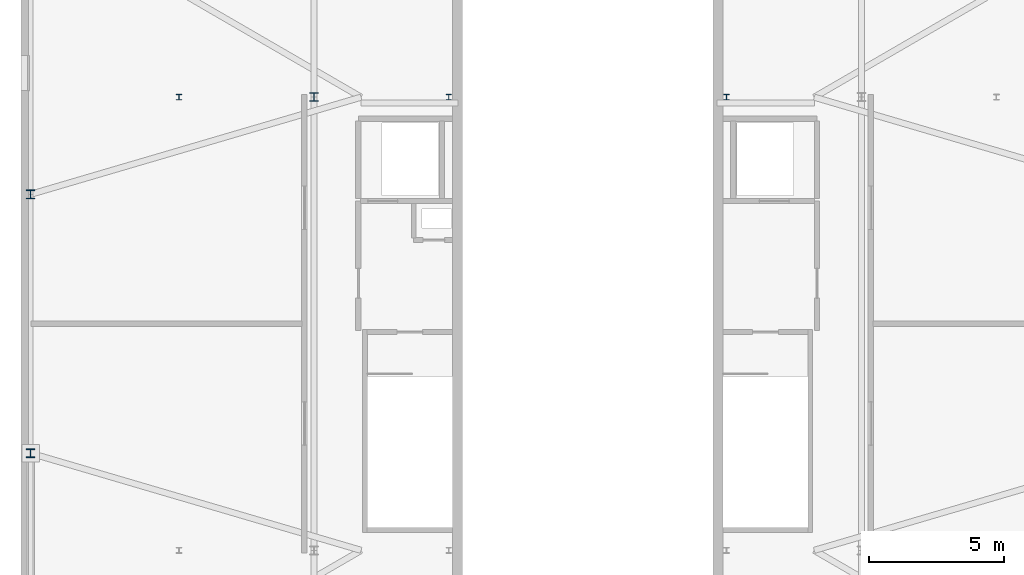
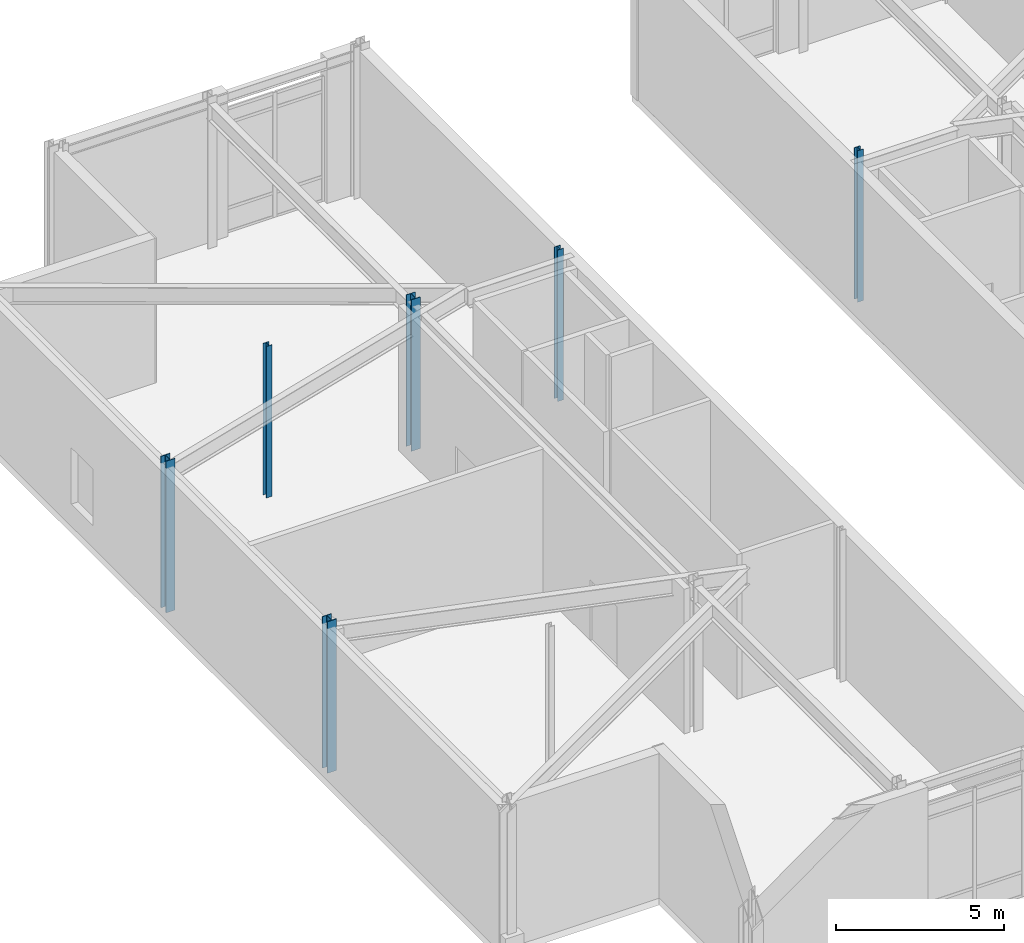
# One storey, part 3 of 14: 6 columns.
"""IFC4 building model written with IfcOpenShell, lengths in metres."""

from ifc_helpers import new_model, si_unit, direction, frame, origin, origin_2d, place, context, subcontext, project, spatial, i_section, extrude, material, material_profile, profile_set, type_object, element, save


model = new_model("IFC4")

# Units and contexts
model_context = context("Model", 3, precision=1e-05, world=origin(), true_north=direction((0.0, 1.0)))
body_context = subcontext(model_context, "Body", "Model", "MODEL_VIEW")
ifc_project = project(units=[si_unit("LENGTHUNIT", "METRE"), si_unit("AREAUNIT", "SQUARE_METRE"), si_unit("VOLUMEUNIT", "CUBIC_METRE"), si_unit("PLANEANGLEUNIT", "RADIAN"), si_unit("MASSUNIT", "GRAM", prefix="KILO")], contexts=[model_context])

# Site, building, storey
site_placement = place(None, origin())
site = spatial("IfcSite", under=ifc_project, at=site_placement, CompositionType="ELEMENT")
building_placement = place(site_placement, origin())
building = spatial("IfcBuilding", under=site, at=building_placement, Name="Cairnveth Concourse Tower", CompositionType="ELEMENT")
storey_placement = place(building_placement, frame((0.0, 0.0, 330.0)))
storey = spatial("IfcBuildingStorey", under=building, at=storey_placement, Name="L90", CompositionType="ELEMENT", Elevation=330.0)

# Columns
ifc_material = material(Name="Steel Grade 350", Category="steel")
ifc_material_profile_1 = material_profile(ifc_material, i_section(OverallWidth=0.202880859375, OverallDepth=0.202880859375, WebThickness=0.00927734375, FlangeThickness=0.01416015625, FilletRadius=0.010009765625, at=origin_2d()), Name="200UC59.5")
ifc_profile_set_1 = profile_set([ifc_material_profile_1], Name="Steel Grade 350")
column_type_1 = type_object("IfcColumnType", Name="PILASTER STEEL COLUMN 200UC59.5", PredefinedType="PILASTER", material=ifc_profile_set_1)
for number, where, z_axis, x_axis, name in (
    (1, (36.85009765625, 47.39990234375, 0.0), (0.0, 0.0, 1.0), (1.0, 0.0, 0.0), "Column CRL-W3 L90"),
    (2, (46.85009765625, 47.39990234375, 0.0), (0.0, 0.0, 1.0), (1.0, 0.0, 0.0), "Column CRR-W3 L90"),
    (3, (57.14990234375, 47.39990234375, 0.0), (0.0, 0.0, 1.0), (1.0, 0.0, 0.0), "Column CRL-E3 L90"),
):
    element("IfcColumn", number, at=place(storey_placement, frame(where, z_axis=z_axis, x_axis=x_axis)), inside=storey, type_object=column_type_1, Name=name, PredefinedType="PILASTER", context=body_context, shape_type="SweptSolid", body=[
        extrude(i_section(OverallWidth=0.202880859375, OverallDepth=0.202880859375, WebThickness=0.00927734375, FlangeThickness=0.01416015625, FilletRadius=0.010009765625, at=origin_2d()), origin(), (0.0, 0.0, 1.0), 5.5),
    ])
ifc_material_profile_2 = material_profile(ifc_material, i_section(OverallWidth=0.306884765625, OverallDepth=0.31494140625, WebThickness=0.011962890625, FlangeThickness=0.018798828125, FilletRadius=0.01611328125, at=origin_2d()), Name="310UC118")
ifc_profile_set_2 = profile_set([ifc_material_profile_2], Name="Steel Grade 350")
column_type_2 = type_object("IfcColumnType", Name="UNIVERSAL STEEL COLUMN 310UC118", PredefinedType="COLUMN", material=ifc_profile_set_2)
column_placement = place(storey_placement, frame((41.85009765625, 47.39990234375, 0.0), z_axis=(0.0, 0.0, 1.0), x_axis=(1.0, 0.0, 0.0)))
element("IfcColumn", 4, at=column_placement, inside=storey, type_object=column_type_2, Name="Column CRM-W3 L90", PredefinedType="COLUMN", context=body_context, shape_type="SweptSolid", body=[
    extrude(i_section(OverallWidth=0.306884765625, OverallDepth=0.31494140625, WebThickness=0.011962890625, FlangeThickness=0.018798828125, FilletRadius=0.01611328125, at=origin_2d()), origin(), (0.0, 0.0, 1.0), 5.5),
])
ifc_material_profile_3 = material_profile(ifc_material, i_section(OverallWidth=0.31103515625, OverallDepth=0.326904296875, WebThickness=0.015625, FlangeThickness=0.02490234375, FilletRadius=0.01611328125, at=origin_2d()), Name="310UC158")
ifc_profile_set_3 = profile_set([ifc_material_profile_3], Name="Steel Grade 350")
column_type_3 = type_object("IfcColumnType", Name="UNIVERSAL STEEL COLUMN 310UC158", PredefinedType="COLUMN", material=ifc_profile_set_3)
for number, where, z_axis, x_axis, name in (
    (5, (31.35009765625, 43.800048828125, 0.0), (0.0, 0.0, 1.0), (1.0, 0.0, 0.0), "Column CR-W2 L90"),
    (6, (31.35009765625, 34.199951171875, 0.0), (0.0, 0.0, 1.0), (1.0, 0.0, 0.0), "Column CR-W3 L90"),
):
    element("IfcColumn", number, at=place(storey_placement, frame(where, z_axis=z_axis, x_axis=x_axis)), inside=storey, type_object=column_type_3, Name=name, PredefinedType="COLUMN", context=body_context, shape_type="SweptSolid", body=[
        extrude(i_section(OverallWidth=0.31103515625, OverallDepth=0.326904296875, WebThickness=0.015625, FlangeThickness=0.02490234375, FilletRadius=0.01611328125, at=origin_2d()), origin(), (0.0, 0.0, 1.0), 5.5),
    ])

save(model, "model.ifc")
